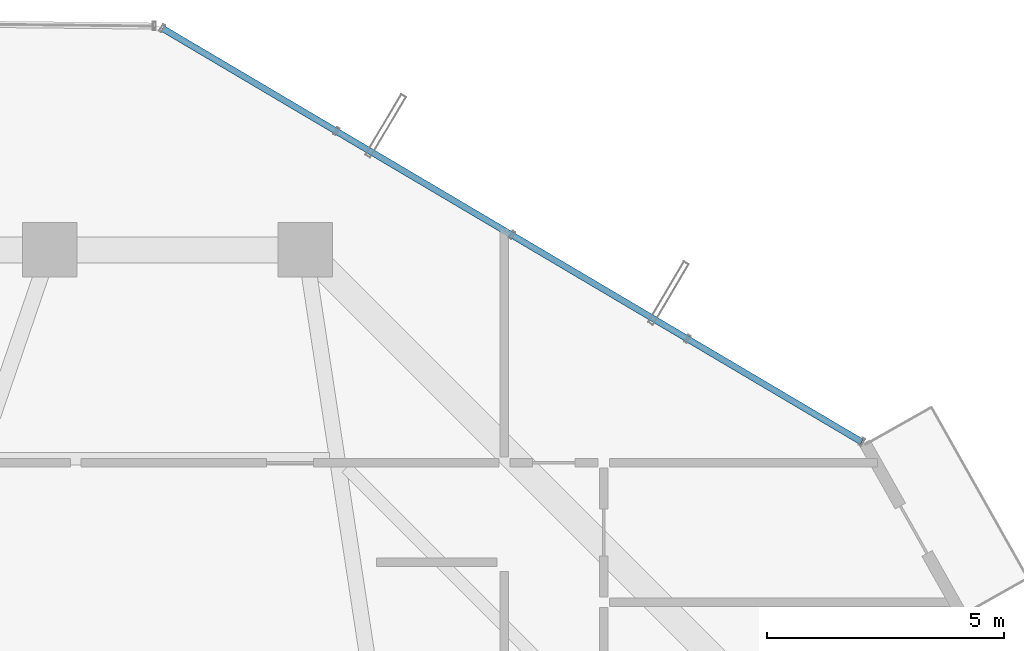
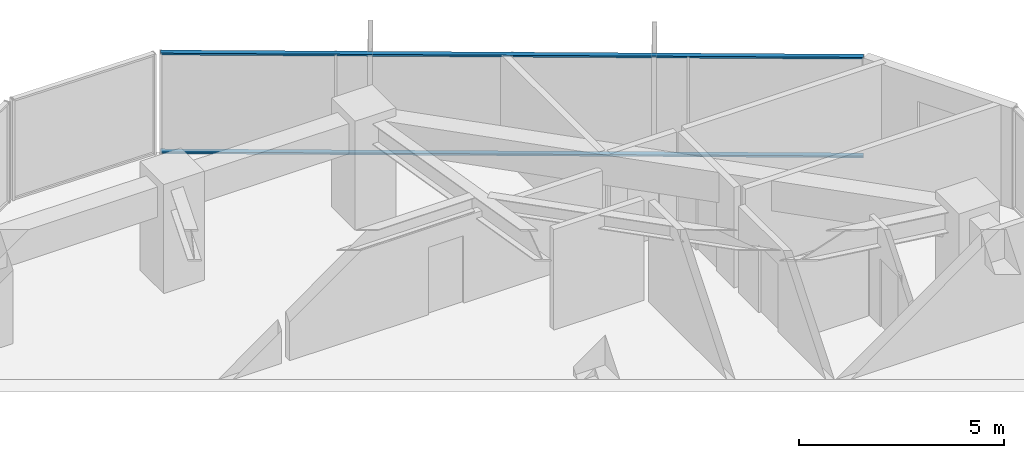
# One storey, part 22 of 30: 2 members, 1 element without a shape of its own.
"""IFC4 building model written with IfcOpenShell, lengths in metres."""

import ifcopenshell
import ifcopenshell.guid

model = None  # the IFC model being written
_history = None  # IfcOwnerHistory: only IFC2X3 demands one
_inside = {}  # id of a spatial element -> (the spatial element, [elements in it])
_under = {}  # id of a project, library or spatial element -> (it, [spatial elements below it])
_declared = {}  # id of a project -> (the project, [libraries it declares])
_typed = {}  # id of a type object -> (the type object, [elements of that type])
_made_of = {}  # id of a material, layer set ... -> (it, [elements and type objects made of it])


def new_model(schema):
    """Start an empty IFC model of exactly this schema.

    Asked for "IFC4X3", IfcOpenShell would pick the latest addendum, in which some entities
    have other attributes; the version numbers below select the first issue.
    IFC2X3 requires an IfcOwnerHistory on every rooted entity: one is made here for all.
    """
    global model, _history
    if schema == "IFC4X3":
        model = ifcopenshell.file(schema_version=(4, 3, 0, 0))
    else:
        model = ifcopenshell.file(schema=schema)
    _inside.clear()
    _under.clear()
    _declared.clear()
    _typed.clear()
    _made_of.clear()
    _history = None
    if model.schema == "IFC2X3":
        org = make("IfcOrganization", Name="unknown")
        user = make(
            "IfcPersonAndOrganization",
            ThePerson=make("IfcPerson", FamilyName="unknown"),
            TheOrganization=org,
        )
        app = make(
            "IfcApplication",
            ApplicationDeveloper=org,
            Version="unknown",
            ApplicationFullName="unknown",
            ApplicationIdentifier="unknown",
        )
        _history = make(
            "IfcOwnerHistory",
            OwningUser=user,
            OwningApplication=app,
            ChangeAction="ADDED",
            CreationDate=0,
        )
    return model


def make(cls, **values):
    """One entity of the class cls with the attributes given. An attribute that is None is left unset."""
    return model.create_entity(
        cls, **{name: value for name, value in values.items() if value is not None}
    )


def rooted(cls, **values):
    """An entity with a GlobalId (a new one), such as an element, a storey or a relation."""
    return make(cls, GlobalId=ifcopenshell.guid.new(), OwnerHistory=_history, **values)


def si_unit(unit_type, name, prefix=None):
    """IfcSIUnit, for example si_unit("LENGTHUNIT", "METRE", prefix="MILLI")."""
    return make("IfcSIUnit", UnitType=unit_type, Prefix=prefix, Name=name)


def assignment(units):
    """IfcUnitAssignment: the units of a project."""
    return None if units is None else make("IfcUnitAssignment", Units=units)


def point(xyz):
    """IfcCartesianPoint."""
    return None if xyz is None else make("IfcCartesianPoint", Coordinates=xyz)


def direction(xyz):
    """IfcDirection."""
    return None if xyz is None else make("IfcDirection", DirectionRatios=xyz)


def frame(location, z_axis=None, x_axis=None):
    """IfcAxis2Placement3D, a coordinate frame: its origin and axes. An axis left out is left unset."""
    return make(
        "IfcAxis2Placement3D",
        Location=point(location),
        Axis=direction(z_axis),
        RefDirection=direction(x_axis),
    )


def frame_2d(location, x_axis=None):
    """IfcAxis2Placement2D, a coordinate frame in the plane: its origin and x axis."""
    return make(
        "IfcAxis2Placement2D", Location=point(location), RefDirection=direction(x_axis)
    )


def origin():
    """The frame at (0, 0, 0) with its axes left unset."""
    return frame((0.0, 0.0, 0.0))


def origin_2d():
    """The frame at (0, 0) in the plane with its x axis left unset."""
    return frame_2d((0.0, 0.0))


def place(relative_to, where):
    """IfcLocalPlacement: puts the frame where relative to a parent placement (None: the world)."""
    return make(
        "IfcLocalPlacement", PlacementRelTo=relative_to, RelativePlacement=where
    )


def context(
    kind, dimensions, precision=None, world=None, true_north=None, identifier=None
):
    """IfcGeometricRepresentationContext, for example the 3D "Model" context."""
    return make(
        "IfcGeometricRepresentationContext",
        ContextIdentifier=identifier,
        ContextType=kind,
        CoordinateSpaceDimension=dimensions,
        Precision=precision,
        WorldCoordinateSystem=world,
        TrueNorth=true_north,
    )


def subcontext(parent, identifier, kind, view, scale=None):
    """IfcGeometricRepresentationSubContext, for example "Body" below "Model"."""
    return make(
        "IfcGeometricRepresentationSubContext",
        ContextIdentifier=identifier,
        ContextType=kind,
        ParentContext=parent,
        TargetScale=scale,
        TargetView=view,
    )


def project(units=None, contexts=None):
    """IfcProject with its units and contexts."""
    return rooted(
        "IfcProject",
        Name="project",
        RepresentationContexts=contexts,
        UnitsInContext=assignment(units),
    )


def spatial(cls, under=None, at=None, **own):
    """A site, building, storey or space (cls), placed at a placement, below another one or the project."""
    s = rooted(cls, ObjectPlacement=at, **own)
    if under is not None:
        _under.setdefault(under.id(), (under, []))[1].append(s)
    return s


def profile(cls, at=None, kind="AREA", **sizes):
    """A parametric profile (cls). Its sizes go by their IFC names, for example OverallWidth=200.0."""
    return make(cls, ProfileType=kind, Position=at, **sizes)


def hollow_rectangle(**sizes):
    """IfcRectangleHollowProfileDef."""
    return profile("IfcRectangleHollowProfileDef", **sizes)


def extrude(swept, where, along, depth):
    """IfcExtrudedAreaSolid: the profile swept, set in the frame where, extruded along a direction by depth."""
    return make(
        "IfcExtrudedAreaSolid",
        SweptArea=swept,
        Position=where,
        ExtrudedDirection=direction(along),
        Depth=depth,
    )


def shape(context_of_items, identifier, shape_type, items):
    """IfcShapeRepresentation: the items that make up one representation, for example the "Body"."""
    return make(
        "IfcShapeRepresentation",
        ContextOfItems=context_of_items,
        RepresentationIdentifier=identifier,
        RepresentationType=shape_type,
        Items=items,
    )


def source(mapping_origin, context_of_items, identifier, shape_type, items):
    """IfcRepresentationMap: a shape defined once, which mapped items show again and again."""
    return make(
        "IfcRepresentationMap",
        MappingOrigin=mapping_origin,
        MappedRepresentation=shape(context_of_items, identifier, shape_type, items),
    )


def transform(
    local_origin,
    x_axis=None,
    y_axis=None,
    z_axis=None,
    scale=None,
    scale2=None,
    scale3=None,
    uniform=True,
):
    """IfcCartesianTransformationOperator3D, or its non-uniform kind. x_axis, y_axis, z_axis: its Axis1, 2, 3."""
    if uniform:
        return make(
            "IfcCartesianTransformationOperator3D",
            Axis1=direction(x_axis),
            Axis2=direction(y_axis),
            LocalOrigin=point(local_origin),
            Scale=scale,
            Axis3=direction(z_axis),
        )
    return make(
        "IfcCartesianTransformationOperator3DnonUniform",
        Axis1=direction(x_axis),
        Axis2=direction(y_axis),
        LocalOrigin=point(local_origin),
        Scale=scale,
        Axis3=direction(z_axis),
        Scale2=scale2,
        Scale3=scale3,
    )


def mapped(mapping_source, mapping_target):
    """IfcMappedItem: shows the shape of a source again, moved by a transform."""
    return make(
        "IfcMappedItem", MappingSource=mapping_source, MappingTarget=mapping_target
    )


def material(Name=None, Category=None):
    """IfcMaterial."""
    return make("IfcMaterial", Name=Name, Category=Category)


def layer(
    of_material, thickness, ventilated=None, Name=None, Category=None, Priority=None
):
    """IfcMaterialLayer: one layer of a wall or slab, of a material (None: an air gap)."""
    return make(
        "IfcMaterialLayer",
        Material=of_material,
        LayerThickness=thickness,
        IsVentilated=ventilated,
        Name=Name,
        Category=Category,
        Priority=Priority,
    )


def layer_set(layers, Name=None):
    """IfcMaterialLayerSet."""
    return make("IfcMaterialLayerSet", MaterialLayers=layers, LayerSetName=Name)


def material_profile(
    of_material, cross_section, Name=None, Category=None, Priority=None
):
    """IfcMaterialProfile: a cross section and its material."""
    return make(
        "IfcMaterialProfile",
        Name=Name,
        Material=of_material,
        Profile=cross_section,
        Priority=Priority,
        Category=Category,
    )


def profile_set(profiles, Name=None, composite=None):
    """IfcMaterialProfileSet."""
    return make(
        "IfcMaterialProfileSet",
        Name=Name,
        MaterialProfiles=profiles,
        CompositeProfile=composite,
    )


def made_of(thing, what):
    """Note that an element or type object is made of a material, layer set ...; save() writes the relation."""
    if what is not None:
        _made_of.setdefault(what.id(), (what, []))[1].append(thing)
    return thing


def type_object(cls, material=None, **own):
    """A type object (cls), such as IfcWallType, which elements share."""
    return made_of(rooted(cls, **own), material)


def element(
    cls,
    number,
    at=None,
    inside=None,
    cuts=None,
    type_object=None,
    material=None,
    context=None,
    identifier="Body",
    shape_type=None,
    held_by="IfcProductDefinitionShape",
    body=None,
    shapes=None,
    **own,
):
    """One element of the class cls, such as IfcWall. Its Tag is "e" and its number.

    at: its placement. inside: the storey or other place that contains it. cuts: it is an
    opening in that element (IfcRelVoidsElement). A single representation is given by context,
    identifier, shape_type and body (its items); several are given by shapes. held_by: the class
    of the entity that holds the representations. save() writes the other relations.
    """
    e = rooted(cls, Tag="e%d" % number, ObjectPlacement=at, **own)
    if body is not None:
        shapes = [shape(context, identifier, shape_type, body)]
    if shapes is not None:
        e.Representation = make(held_by, Representations=shapes)
    if inside is not None:
        _inside.setdefault(inside.id(), (inside, []))[1].append(e)
    if cuts is not None:
        rooted(
            "IfcRelVoidsElement", RelatingBuildingElement=cuts, RelatedOpeningElement=e
        )
    if type_object is not None:
        _typed.setdefault(type_object.id(), (type_object, []))[1].append(e)
    return made_of(e, material)


def aggregate(whole, parts):
    """IfcRelAggregates: a whole, such as a stair, and the parts it consists of."""
    return rooted("IfcRelAggregates", RelatingObject=whole, RelatedObjects=parts)


def save(model, path):
    """Write the relations noted so far, then the file.

    IfcRelAggregates (storeys below a building ...), IfcRelContainedInSpatialStructure (elements
    in a storey), IfcRelDefinesByType, IfcRelAssociatesMaterial and IfcRelDeclares: one each for
    every whole, place, type object, material and project.
    """
    for whole, parts in _under.values():
        aggregate(whole, parts)
    for where, things in _inside.values():
        rooted(
            "IfcRelContainedInSpatialStructure",
            RelatedElements=things,
            RelatingStructure=where,
        )
    for kind, things in _typed.values():
        rooted("IfcRelDefinesByType", RelatedObjects=things, RelatingType=kind)
    for what, things in _made_of.values():
        rooted("IfcRelAssociatesMaterial", RelatedObjects=things, RelatingMaterial=what)
    for by, libraries in _declared.values():
        rooted("IfcRelDeclares", RelatingContext=by, RelatedDefinitions=libraries)
    model.write(path)


model = new_model("IFC4")

# Units and contexts
model_context = context("Model", 3, precision=1e-05, world=origin(), true_north=direction((0.0, 1.0)))
body_context = subcontext(model_context, "Body", "Model", "MODEL_VIEW")
ifc_project = project(units=[si_unit("LENGTHUNIT", "METRE"), si_unit("AREAUNIT", "SQUARE_METRE"), si_unit("VOLUMEUNIT", "CUBIC_METRE"), si_unit("PLANEANGLEUNIT", "RADIAN"), si_unit("MASSUNIT", "GRAM", prefix="KILO")], contexts=[model_context])

# Site, building, storey
site_placement = place(None, origin())
site = spatial("IfcSite", under=ifc_project, at=site_placement, CompositionType="ELEMENT")
building_placement = place(site_placement, origin())
building = spatial("IfcBuilding", under=site, at=building_placement, Name="Veraguas Prism Commons", CompositionType="ELEMENT")
storey_placement = place(building_placement, frame((0.0, 0.0, 126.25)))
storey = spatial("IfcBuildingStorey", under=building, at=storey_placement, Name="L35", CompositionType="ELEMENT", Elevation=126.25)

# Curtain wall, members
ifc_material = material(Name="Anodised aluminium EN AW-6063 T6", Category="aluminium")
ifc_layer = layer(ifc_material, 0.169921875, Name="Unitised Flush Curtain Wall Zone 2", Category="aluminium")
ifc_layer_set = layer_set([ifc_layer], Name="Anodised aluminium EN AW-6063 T6")
curtain_wall_type = type_object("IfcCurtainWallType", Name="Unitised Flush Curtain Wall Zone 2", PredefinedType="NOTDEFINED", material=ifc_layer_set)
curtain_wall_placement = place(storey_placement, origin())
curtain_wall = element("IfcCurtainWall", 1, at=curtain_wall_placement, inside=storey, type_object=curtain_wall_type, Name="Tower Facade Curtain Wall L35-F1", PredefinedType="NOTDEFINED")
ifc_material_profile = material_profile(ifc_material, hollow_rectangle(XDim=0.054931640625, YDim=0.135009765625, WallThickness=0.0029296875, at=origin_2d()), Name="AL55X135X3")
ifc_profile_set = profile_set([ifc_material_profile], Name="Anodised aluminium EN AW-6063 T6")
member_type = type_object("IfcMemberType", Name="Curtain Wall Transom Standard AL 55x135x3", PredefinedType="USERDEFINED", material=ifc_profile_set)
shared_shape = source(origin(), body_context, "Body", "SweptSolid", [
    extrude(hollow_rectangle(XDim=0.054931640625, YDim=0.135009765625, WallThickness=0.0029296875, at=origin_2d()), origin(), (0.0, 0.0, 1.0), 17.17431640625),
])
member_1_placement = place(storey_placement, frame((41.156005859375, 36.139892578125, 0.027587890625), z_axis=(-0.860743086956, 0.509039623465, 0.0), x_axis=(0.0, 0.0, 1.0)))
member_1 = element("IfcMember", 2, at=member_1_placement, type_object=member_type, Name="CW-Z2 Transom 1", ObjectType="TRANSOM", PredefinedType="USERDEFINED", context=body_context, shape_type="MappedRepresentation", body=[
    mapped(shared_shape, transform((0.0, 0.0, 0.0), scale=1.0)),
])
member_2_placement = place(storey_placement, frame((41.156005859375, 36.139892578125, 2.972412109375), z_axis=(-0.860743086956, 0.509039623465, 0.0), x_axis=(0.0, 0.0, 1.0)))
member_2 = element("IfcMember", 3, at=member_2_placement, type_object=member_type, Name="CW-Z2 Transom 2", ObjectType="TRANSOM", PredefinedType="USERDEFINED", context=body_context, shape_type="MappedRepresentation", body=[
    mapped(shared_shape, transform((0.0, 0.0, 0.0), scale=1.0)),
])
aggregate(curtain_wall, [member_1, member_2])

save(model, "model.ifc")
